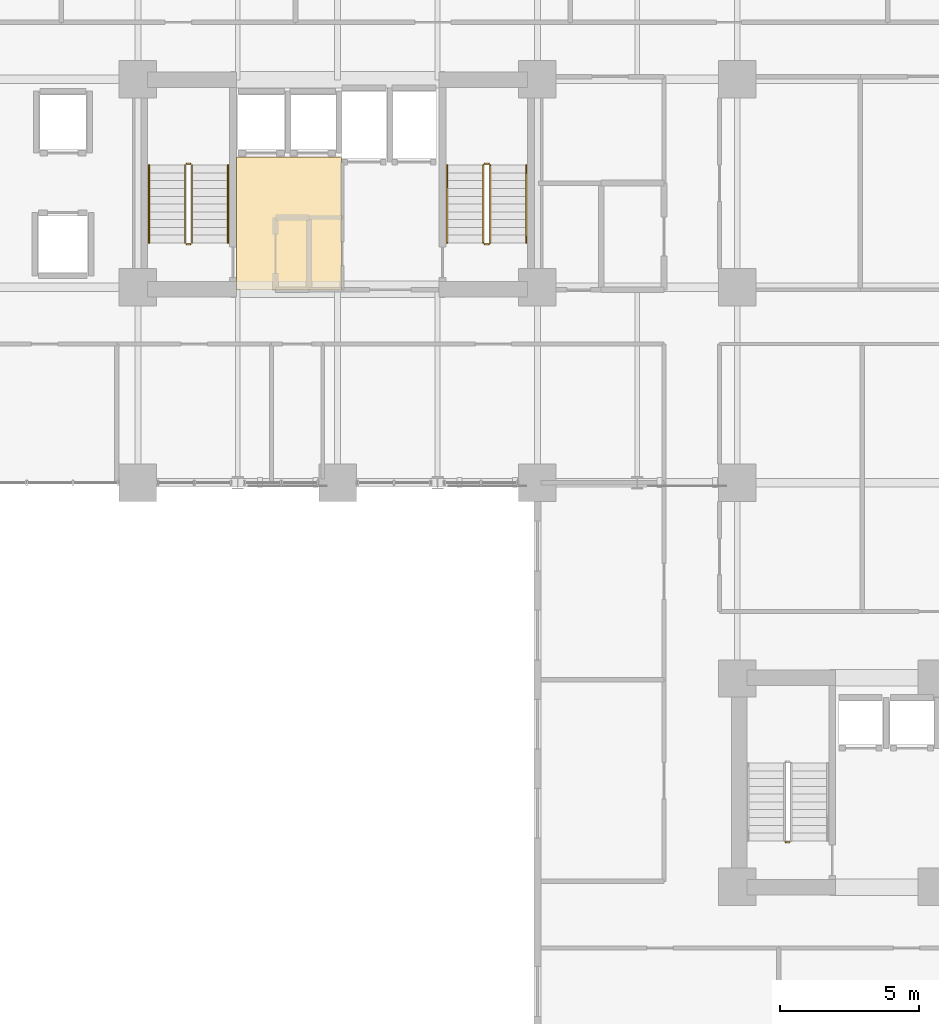
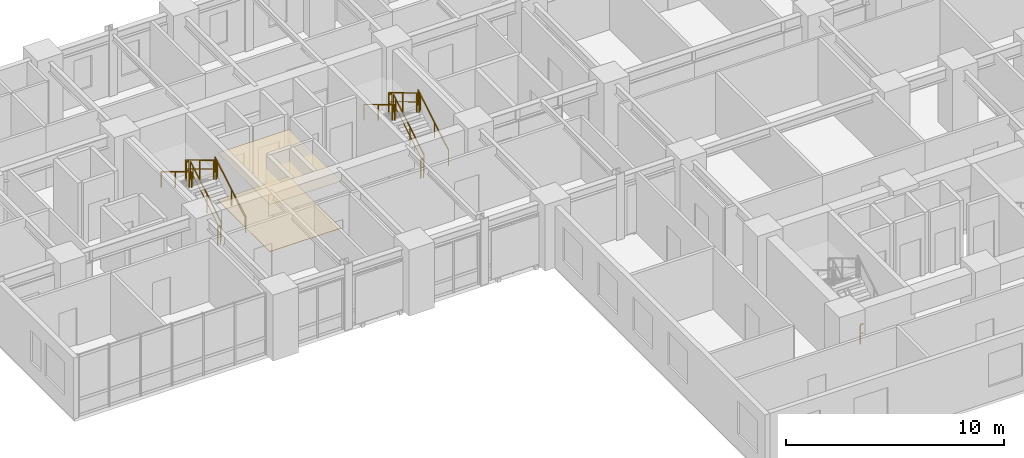
# One storey, part 15 of 17: 13 railings, 2 coverings.
"""IFC4 building model written with IfcOpenShell, lengths in metres."""

from ifc_helpers import new_model, si_unit, direction, frame, origin, origin_2d, place, context, subcontext, project, spatial, rectangle, extrude, source, transform, mapped, material, layer, layer_set, type_object, element, save


model = new_model("IFC4")

# Units and contexts
model_context = context("Model", 3, precision=1e-05, world=origin(), true_north=direction((0.0, 1.0)))
body_context = subcontext(model_context, "Body", "Model", "MODEL_VIEW")
ifc_project = project(units=[si_unit("LENGTHUNIT", "METRE"), si_unit("AREAUNIT", "SQUARE_METRE"), si_unit("VOLUMEUNIT", "CUBIC_METRE"), si_unit("PLANEANGLEUNIT", "RADIAN"), si_unit("MASSUNIT", "GRAM", prefix="KILO")], contexts=[model_context])

# Site, building, storey
site_placement = place(None, origin())
site = spatial("IfcSite", under=ifc_project, at=site_placement, CompositionType="ELEMENT")
building_placement = place(site_placement, origin())
building = spatial("IfcBuilding", under=site, at=building_placement, Name="Kaliganga Portal Commons", CompositionType="ELEMENT")
storey_placement = place(building_placement, frame((0.0, 0.0, 43.800048828125)))
storey = spatial("IfcBuildingStorey", under=building, at=storey_placement, Name="L10", CompositionType="ELEMENT", Elevation=43.800048828125)

# Railings
ifc_material_1 = material(Name="Galvanized Painted Steel Balustrade", Category="steel")
railing_type_1 = type_object("IfcRailingType", Name="RLG-STAIR-GRD", PredefinedType="GUARDRAIL", material=ifc_material_1)
railing_1_placement = place(storey_placement, frame((16.35009765625, 30.25, 0.168212890625)))
element("IfcRailing", 1, at=railing_1_placement, inside=storey, type_object=railing_type_1, Name="L10 ST-A1 stair guard 1", PredefinedType="GUARDRAIL", context=body_context, shape_type="SweptSolid", body=[
    extrude(rectangle(XDim=0.048095703125, YDim=0.048095703125, at=origin_2d()), frame((0.0, 0.0, 1.072021484375), z_axis=(0.0, 0.857275202839, 0.514858452973), x_axis=(-1.0, 0.0, 0.0)), (0.0, 0.0, 1.0), 3.26611328125),
    extrude(rectangle(XDim=0.028076171875, YDim=0.028076171875, at=origin_2d()), frame((0.0, 0.0, 0.572021484375), z_axis=(0.0, 0.857275202839, 0.514858452973), x_axis=(-1.0, 0.0, 0.0)), (0.0, 0.0, 1.0), 3.26611328125),
    extrude(rectangle(XDim=0.0419921875, YDim=0.0419921875, at=origin_2d()), origin(), (0.0, 0.0, 1.0), 1.052001953125),
    extrude(rectangle(XDim=0.0419921875, YDim=0.0419921875, at=origin_2d()), frame((0.0, 1.285888671875, 0.772216796875)), (0.0, 0.0, 1.0), 1.052001953125),
    extrude(rectangle(XDim=0.0419921875, YDim=0.0419921875, at=origin_2d()), frame((0.0, 2.57177734375, 1.544677734375)), (0.0, 0.0, 1.0), 1.052001953125),
    extrude(rectangle(XDim=0.0419921875, YDim=0.0419921875, at=origin_2d()), frame((0.0, 2.800048828125, 1.681640625)), (0.0, 0.0, 1.0), 1.052001953125),
])
railing_2_placement = place(storey_placement, frame((16.300048828125, 33.10009765625, 1.849853515625)))
element("IfcRailing", 2, at=railing_2_placement, inside=storey, type_object=railing_type_1, Name="L10 ST-A1 stair guard 2", PredefinedType="GUARDRAIL", context=body_context, shape_type="SweptSolid", body=[
    extrude(rectangle(XDim=0.048095703125, YDim=0.048095703125, at=origin_2d()), frame((0.0, 0.0, 1.076171875), z_axis=(-1.0, 0.0, 0.0), x_axis=(0.0, -1.0, 0.0)), (0.0, 0.0, 1.0), 0.150146484375),
    extrude(rectangle(XDim=0.028076171875, YDim=0.028076171875, at=origin_2d()), frame((0.0, 0.0, 0.572021484375), z_axis=(-1.0, 0.0, 0.0), x_axis=(0.0, -1.0, 0.0)), (0.0, 0.0, 1.0), 0.150146484375),
    extrude(rectangle(XDim=0.0419921875, YDim=0.0419921875, at=origin_2d()), origin(), (0.0, 0.0, 1.0), 1.052001953125),
    extrude(rectangle(XDim=0.0419921875, YDim=0.0419921875, at=origin_2d()), frame((-0.150146484375, 0.0, 0.0)), (0.0, 0.0, 1.0), 1.052001953125),
])
railing_3_placement = place(storey_placement, frame((16.10009765625, 33.050048828125, 2.01806640625)))
element("IfcRailing", 3, at=railing_3_placement, inside=storey, type_object=railing_type_1, Name="L10 ST-A1 stair guard 3", PredefinedType="GUARDRAIL", context=body_context, shape_type="SweptSolid", body=[
    extrude(rectangle(XDim=0.048095703125, YDim=0.048095703125, at=origin_2d()), frame((0.0, 0.0, 1.072021484375), z_axis=(0.0, -0.857242210791, 0.514913383045), x_axis=(1.0, 0.0, 0.0)), (0.0, 0.0, 1.0), 3.266357421875),
    extrude(rectangle(XDim=0.028076171875, YDim=0.028076171875, at=origin_2d()), frame((0.0, 0.0, 0.572021484375), z_axis=(0.0, -0.857242210791, 0.514913383045), x_axis=(1.0, 0.0, 0.0)), (0.0, 0.0, 1.0), 3.266357421875),
    extrude(rectangle(XDim=0.0419921875, YDim=0.0419921875, at=origin_2d()), origin(), (0.0, 0.0, 1.0), 1.052001953125),
    extrude(rectangle(XDim=0.0419921875, YDim=0.0419921875, at=origin_2d()), frame((0.0, -1.285888671875, 0.7724609375)), (0.0, 0.0, 1.0), 1.052001953125),
    extrude(rectangle(XDim=0.0419921875, YDim=0.0419921875, at=origin_2d()), frame((0.0, -2.57177734375, 1.544677734375)), (0.0, 0.0, 1.0), 1.052001953125),
    extrude(rectangle(XDim=0.0419921875, YDim=0.0419921875, at=origin_2d()), frame((0.0, -2.800048828125, 1.681884765625)), (0.0, 0.0, 1.0), 1.052001953125),
])
railing_4_placement = place(storey_placement, frame((16.300048828125, 30.199951171875, 0.0)))
element("IfcRailing", 4, at=railing_4_placement, inside=storey, type_object=railing_type_1, Name="L10 ST-A1 stair guard 4", PredefinedType="GUARDRAIL", context=body_context, shape_type="SweptSolid", body=[
    extrude(rectangle(XDim=0.048095703125, YDim=0.048095703125, at=origin_2d()), frame((0.0, 0.0, 1.076171875), z_axis=(-1.0, 0.0, 0.0), x_axis=(0.0, -1.0, 0.0)), (0.0, 0.0, 1.0), 0.150146484375),
    extrude(rectangle(XDim=0.028076171875, YDim=0.028076171875, at=origin_2d()), frame((0.0, 0.0, 0.572021484375), z_axis=(-1.0, 0.0, 0.0), x_axis=(0.0, -1.0, 0.0)), (0.0, 0.0, 1.0), 0.150146484375),
    extrude(rectangle(XDim=0.0419921875, YDim=0.0419921875, at=origin_2d()), origin(), (0.0, 0.0, 1.0), 1.052001953125),
    extrude(rectangle(XDim=0.0419921875, YDim=0.0419921875, at=origin_2d()), frame((-0.150146484375, 0.0, 0.0)), (0.0, 0.0, 1.0), 1.052001953125),
])
railing_5_placement = place(storey_placement, frame((27.10009765625, 30.25, 0.168212890625)))
element("IfcRailing", 5, at=railing_5_placement, inside=storey, type_object=railing_type_1, Name="L10 ST-A2 stair guard 1", PredefinedType="GUARDRAIL", context=body_context, shape_type="SweptSolid", body=[
    extrude(rectangle(XDim=0.048095703125, YDim=0.048095703125, at=origin_2d()), frame((0.0, 0.0, 1.072021484375), z_axis=(0.0, 0.857275202839, 0.514858452973), x_axis=(-1.0, 0.0, 0.0)), (0.0, 0.0, 1.0), 3.26611328125),
    extrude(rectangle(XDim=0.028076171875, YDim=0.028076171875, at=origin_2d()), frame((0.0, 0.0, 0.572021484375), z_axis=(0.0, 0.857275202839, 0.514858452973), x_axis=(-1.0, 0.0, 0.0)), (0.0, 0.0, 1.0), 3.26611328125),
    extrude(rectangle(XDim=0.0419921875, YDim=0.0419921875, at=origin_2d()), origin(), (0.0, 0.0, 1.0), 1.052001953125),
    extrude(rectangle(XDim=0.0419921875, YDim=0.0419921875, at=origin_2d()), frame((0.0, 1.285888671875, 0.772216796875)), (0.0, 0.0, 1.0), 1.052001953125),
    extrude(rectangle(XDim=0.0419921875, YDim=0.0419921875, at=origin_2d()), frame((0.0, 2.57177734375, 1.544677734375)), (0.0, 0.0, 1.0), 1.052001953125),
    extrude(rectangle(XDim=0.0419921875, YDim=0.0419921875, at=origin_2d()), frame((0.0, 2.800048828125, 1.681640625)), (0.0, 0.0, 1.0), 1.052001953125),
])
railing_6_placement = place(storey_placement, frame((27.050048828125, 33.10009765625, 1.849853515625)))
element("IfcRailing", 6, at=railing_6_placement, inside=storey, type_object=railing_type_1, Name="L10 ST-A2 stair guard 2", PredefinedType="GUARDRAIL", context=body_context, shape_type="SweptSolid", body=[
    extrude(rectangle(XDim=0.048095703125, YDim=0.048095703125, at=origin_2d()), frame((0.0, 0.0, 1.076171875), z_axis=(-1.0, 0.0, 0.0), x_axis=(0.0, -1.0, 0.0)), (0.0, 0.0, 1.0), 0.150146484375),
    extrude(rectangle(XDim=0.028076171875, YDim=0.028076171875, at=origin_2d()), frame((0.0, 0.0, 0.572021484375), z_axis=(-1.0, 0.0, 0.0), x_axis=(0.0, -1.0, 0.0)), (0.0, 0.0, 1.0), 0.150146484375),
    extrude(rectangle(XDim=0.0419921875, YDim=0.0419921875, at=origin_2d()), origin(), (0.0, 0.0, 1.0), 1.052001953125),
    extrude(rectangle(XDim=0.0419921875, YDim=0.0419921875, at=origin_2d()), frame((-0.150146484375, 0.0, 0.0)), (0.0, 0.0, 1.0), 1.052001953125),
])
railing_7_placement = place(storey_placement, frame((26.85009765625, 33.050048828125, 2.01806640625)))
element("IfcRailing", 7, at=railing_7_placement, inside=storey, type_object=railing_type_1, Name="L10 ST-A2 stair guard 3", PredefinedType="GUARDRAIL", context=body_context, shape_type="SweptSolid", body=[
    extrude(rectangle(XDim=0.048095703125, YDim=0.048095703125, at=origin_2d()), frame((0.0, 0.0, 1.072021484375), z_axis=(0.0, -0.857242210791, 0.514913383045), x_axis=(1.0, 0.0, 0.0)), (0.0, 0.0, 1.0), 3.266357421875),
    extrude(rectangle(XDim=0.028076171875, YDim=0.028076171875, at=origin_2d()), frame((0.0, 0.0, 0.572021484375), z_axis=(0.0, -0.857242210791, 0.514913383045), x_axis=(1.0, 0.0, 0.0)), (0.0, 0.0, 1.0), 3.266357421875),
    extrude(rectangle(XDim=0.0419921875, YDim=0.0419921875, at=origin_2d()), origin(), (0.0, 0.0, 1.0), 1.052001953125),
    extrude(rectangle(XDim=0.0419921875, YDim=0.0419921875, at=origin_2d()), frame((0.0, -1.285888671875, 0.7724609375)), (0.0, 0.0, 1.0), 1.052001953125),
    extrude(rectangle(XDim=0.0419921875, YDim=0.0419921875, at=origin_2d()), frame((0.0, -2.57177734375, 1.544677734375)), (0.0, 0.0, 1.0), 1.052001953125),
    extrude(rectangle(XDim=0.0419921875, YDim=0.0419921875, at=origin_2d()), frame((0.0, -2.800048828125, 1.681884765625)), (0.0, 0.0, 1.0), 1.052001953125),
])
railing_8_placement = place(storey_placement, frame((27.050048828125, 30.199951171875, 0.0)))
element("IfcRailing", 8, at=railing_8_placement, inside=storey, type_object=railing_type_1, Name="L10 ST-A2 stair guard 4", PredefinedType="GUARDRAIL", context=body_context, shape_type="SweptSolid", body=[
    extrude(rectangle(XDim=0.048095703125, YDim=0.048095703125, at=origin_2d()), frame((0.0, 0.0, 1.076171875), z_axis=(-1.0, 0.0, 0.0), x_axis=(0.0, -1.0, 0.0)), (0.0, 0.0, 1.0), 0.150146484375),
    extrude(rectangle(XDim=0.028076171875, YDim=0.028076171875, at=origin_2d()), frame((0.0, 0.0, 0.572021484375), z_axis=(-1.0, 0.0, 0.0), x_axis=(0.0, -1.0, 0.0)), (0.0, 0.0, 1.0), 0.150146484375),
    extrude(rectangle(XDim=0.0419921875, YDim=0.0419921875, at=origin_2d()), origin(), (0.0, 0.0, 1.0), 1.052001953125),
    extrude(rectangle(XDim=0.0419921875, YDim=0.0419921875, at=origin_2d()), frame((-0.150146484375, 0.0, 0.0)), (0.0, 0.0, 1.0), 1.052001953125),
])
railing_9_placement = place(storey_placement, frame((37.89990234375, 8.64990234375, 0.0)))
element("IfcRailing", 9, at=railing_9_placement, inside=storey, type_object=railing_type_1, Name="L10 ST-B1 stair guard 4", PredefinedType="GUARDRAIL", context=body_context, shape_type="SweptSolid", body=[
    extrude(rectangle(XDim=0.048095703125, YDim=0.048095703125, at=origin_2d()), frame((0.0, 0.0, 1.076171875), z_axis=(-1.0, 0.0, 0.0), x_axis=(0.0, -1.0, 0.0)), (0.0, 0.0, 1.0), 0.14990234375),
    extrude(rectangle(XDim=0.028076171875, YDim=0.028076171875, at=origin_2d()), frame((0.0, 0.0, 0.572021484375), z_axis=(-1.0, 0.0, 0.0), x_axis=(0.0, -1.0, 0.0)), (0.0, 0.0, 1.0), 0.14990234375),
    extrude(rectangle(XDim=0.0419921875, YDim=0.0419921875, at=origin_2d()), frame((-0.14990234375, 0.0, 0.0)), (0.0, 0.0, 1.0), 1.052001953125),
])
ifc_material_2 = material(Name="Brushed Stainless Steel 316", Category="steel")
railing_type_2 = type_object("IfcRailingType", Name="RLG-STAIR-HR", PredefinedType="HANDRAIL", material=ifc_material_2)
railing_10_placement = place(storey_placement, frame((17.64990234375, 30.25, 0.168212890625)))
element("IfcRailing", 10, at=railing_10_placement, inside=storey, type_object=railing_type_2, Name="L10 ST-A1 stair handrail 1", PredefinedType="HANDRAIL", context=body_context, shape_type="SweptSolid", body=[
    extrude(rectangle(XDim=0.048095703125, YDim=0.048095703125, at=origin_2d()), frame((0.0, 0.0, 0.871826171875), z_axis=(0.0, 0.857275202839, 0.514858452973), x_axis=(-1.0, 0.0, 0.0)), (0.0, 0.0, 1.0), 3.26611328125),
    extrude(rectangle(XDim=0.0419921875, YDim=0.0419921875, at=origin_2d()), origin(), (0.0, 0.0, 1.0), 0.851806640625),
    extrude(rectangle(XDim=0.0419921875, YDim=0.0419921875, at=origin_2d()), frame((0.0, 1.285888671875, 0.772216796875)), (0.0, 0.0, 1.0), 0.851806640625),
    extrude(rectangle(XDim=0.0419921875, YDim=0.0419921875, at=origin_2d()), frame((0.0, 2.57177734375, 1.544677734375)), (0.0, 0.0, 1.0), 0.851806640625),
    extrude(rectangle(XDim=0.0419921875, YDim=0.0419921875, at=origin_2d()), frame((0.0, 2.800048828125, 1.681640625)), (0.0, 0.0, 1.0), 0.851806640625),
])
railing_11_placement = place(storey_placement, frame((14.800048828125, 33.050048828125, 2.01806640625)))
element("IfcRailing", 11, at=railing_11_placement, inside=storey, type_object=railing_type_2, Name="L10 ST-A1 stair handrail 2", PredefinedType="HANDRAIL", context=body_context, shape_type="SweptSolid", body=[
    extrude(rectangle(XDim=0.048095703125, YDim=0.048095703125, at=origin_2d()), frame((0.0, 0.0, 0.871826171875), z_axis=(0.0, -0.857242210791, 0.514913383045), x_axis=(1.0, 0.0, 0.0)), (0.0, 0.0, 1.0), 3.266357421875),
    extrude(rectangle(XDim=0.0419921875, YDim=0.0419921875, at=origin_2d()), origin(), (0.0, 0.0, 1.0), 0.851806640625),
    extrude(rectangle(XDim=0.0419921875, YDim=0.0419921875, at=origin_2d()), frame((0.0, -1.285888671875, 0.7724609375)), (0.0, 0.0, 1.0), 0.851806640625),
    extrude(rectangle(XDim=0.0419921875, YDim=0.0419921875, at=origin_2d()), frame((0.0, -2.57177734375, 1.544677734375)), (0.0, 0.0, 1.0), 0.851806640625),
    extrude(rectangle(XDim=0.0419921875, YDim=0.0419921875, at=origin_2d()), frame((0.0, -2.800048828125, 1.681884765625)), (0.0, 0.0, 1.0), 0.851806640625),
])
railing_12_placement = place(storey_placement, frame((28.39990234375, 30.25, 0.168212890625)))
element("IfcRailing", 12, at=railing_12_placement, inside=storey, type_object=railing_type_2, Name="L10 ST-A2 stair handrail 1", PredefinedType="HANDRAIL", context=body_context, shape_type="SweptSolid", body=[
    extrude(rectangle(XDim=0.048095703125, YDim=0.048095703125, at=origin_2d()), frame((0.0, 0.0, 0.871826171875), z_axis=(0.0, 0.857275202839, 0.514858452973), x_axis=(-1.0, 0.0, 0.0)), (0.0, 0.0, 1.0), 3.26611328125),
    extrude(rectangle(XDim=0.0419921875, YDim=0.0419921875, at=origin_2d()), origin(), (0.0, 0.0, 1.0), 0.851806640625),
    extrude(rectangle(XDim=0.0419921875, YDim=0.0419921875, at=origin_2d()), frame((0.0, 1.285888671875, 0.772216796875)), (0.0, 0.0, 1.0), 0.851806640625),
    extrude(rectangle(XDim=0.0419921875, YDim=0.0419921875, at=origin_2d()), frame((0.0, 2.57177734375, 1.544677734375)), (0.0, 0.0, 1.0), 0.851806640625),
    extrude(rectangle(XDim=0.0419921875, YDim=0.0419921875, at=origin_2d()), frame((0.0, 2.800048828125, 1.681640625)), (0.0, 0.0, 1.0), 0.851806640625),
])
railing_13_placement = place(storey_placement, frame((25.550048828125, 33.050048828125, 2.01806640625)))
element("IfcRailing", 13, at=railing_13_placement, inside=storey, type_object=railing_type_2, Name="L10 ST-A2 stair handrail 2", PredefinedType="HANDRAIL", context=body_context, shape_type="SweptSolid", body=[
    extrude(rectangle(XDim=0.048095703125, YDim=0.048095703125, at=origin_2d()), frame((0.0, 0.0, 0.871826171875), z_axis=(0.0, -0.857242210791, 0.514913383045), x_axis=(1.0, 0.0, 0.0)), (0.0, 0.0, 1.0), 3.266357421875),
    extrude(rectangle(XDim=0.0419921875, YDim=0.0419921875, at=origin_2d()), origin(), (0.0, 0.0, 1.0), 0.851806640625),
    extrude(rectangle(XDim=0.0419921875, YDim=0.0419921875, at=origin_2d()), frame((0.0, -1.285888671875, 0.7724609375)), (0.0, 0.0, 1.0), 0.851806640625),
    extrude(rectangle(XDim=0.0419921875, YDim=0.0419921875, at=origin_2d()), frame((0.0, -2.57177734375, 1.544677734375)), (0.0, 0.0, 1.0), 0.851806640625),
    extrude(rectangle(XDim=0.0419921875, YDim=0.0419921875, at=origin_2d()), frame((0.0, -2.800048828125, 1.681884765625)), (0.0, 0.0, 1.0), 0.851806640625),
])

# Coverings
ifc_material_3 = material(Name="Acoustic Micro-Perforated Gypsum Ceiling", Category="gypsum")
ifc_layer_1 = layer(ifc_material_3, 0.02001953125)
ifc_layer_set_1 = layer_set([ifc_layer_1], Name="Acoustic Micro-Perforated Gypsum Ceiling")
covering_type_1 = type_object("IfcCoveringType", Name="COV-CEIL-GYP", PredefinedType="CEILING", material=ifc_layer_set_1)
shared_shape_1 = source(origin(), body_context, "Body", "SweptSolid", [
    extrude(rectangle(XDim=3.780029296875, YDim=4.780029296875, at=origin_2d()), origin(), (0.0, 0.0, 1.0), 0.02001953125),
])
covering_1_placement = place(storey_placement, frame((19.85009765625, 30.949951171875, 2.639892578125), z_axis=(0.0, 0.0, 1.0), x_axis=(1.0, 0.0, 0.0)))
element("IfcCovering", 14, at=covering_1_placement, inside=storey, type_object=covering_type_1, Name="Acoustic Ceiling L10 PLOB_A", PredefinedType="CEILING", context=body_context, shape_type="MappedRepresentation", body=[
    mapped(shared_shape_1, transform((0.0, 0.0, 0.0), x_axis=(1.0, 0.0, 0.0), y_axis=(0.0, 1.0, 0.0), z_axis=(0.0, 0.0, 1.0), scale=1.0)),
])
ifc_material_4 = material(Name="Polished Sylhet Stone Terrazzo Flooring", Category="masonry")
ifc_layer_2 = layer(ifc_material_4, 0.02490234375)
ifc_layer_set_2 = layer_set([ifc_layer_2], Name="Polished Sylhet Stone Terrazzo Flooring")
covering_type_2 = type_object("IfcCoveringType", Name="COV-FLR-TERRAZZO", PredefinedType="FLOORING", material=ifc_layer_set_2)
shared_shape_2 = source(origin(), body_context, "Body", "SweptSolid", [
    extrude(rectangle(XDim=3.780029296875, YDim=4.780029296875, at=origin_2d()), origin(), (0.0, 0.0, 1.0), 0.02490234375),
])
covering_2_placement = place(storey_placement, frame((19.85009765625, 30.949951171875, 0.00048828125), z_axis=(0.0, 0.0, 1.0), x_axis=(1.0, 0.0, 0.0)))
element("IfcCovering", 15, at=covering_2_placement, inside=storey, type_object=covering_type_2, Name="Terrazzo Flooring L10 PLOB_A", PredefinedType="FLOORING", context=body_context, shape_type="MappedRepresentation", body=[
    mapped(shared_shape_2, transform((0.0, 0.0, 0.0), x_axis=(1.0, 0.0, 0.0), y_axis=(0.0, 1.0, 0.0), z_axis=(0.0, 0.0, 1.0), scale=1.0)),
])

save(model, "model.ifc")
